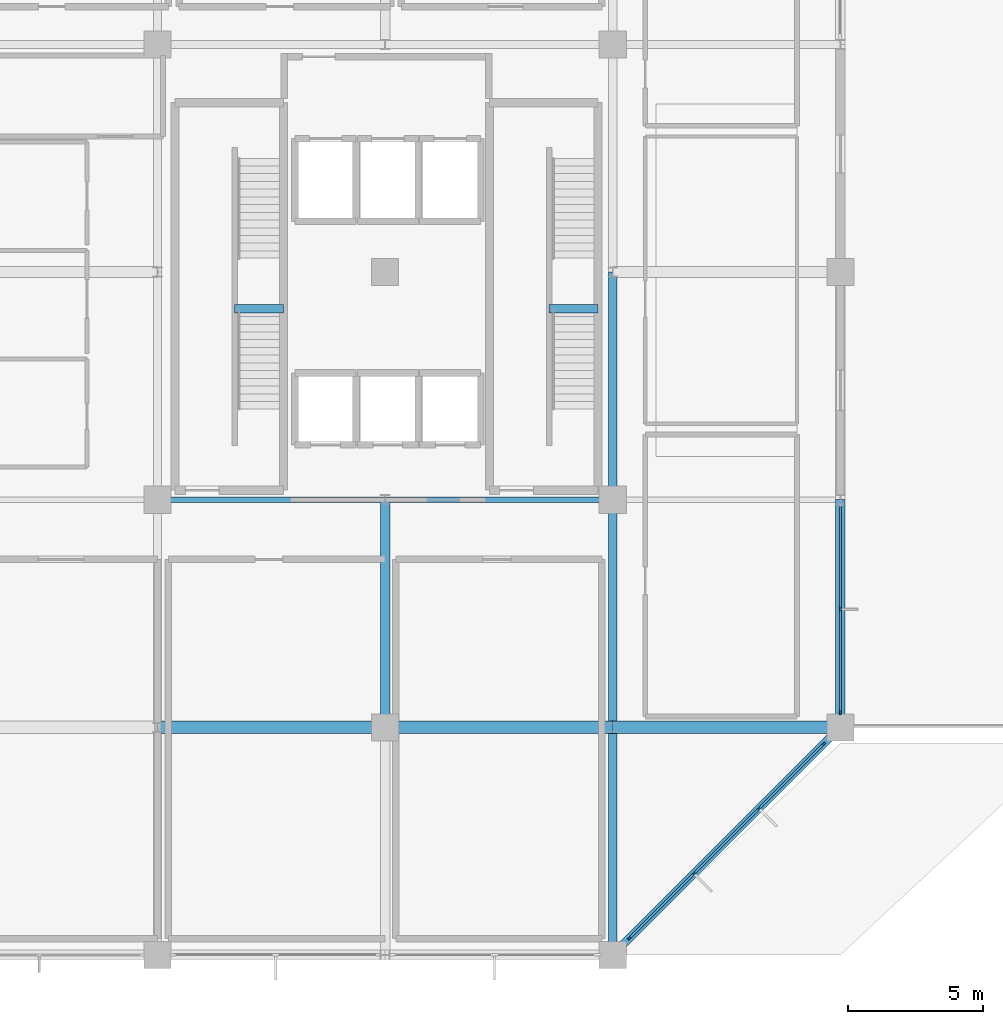
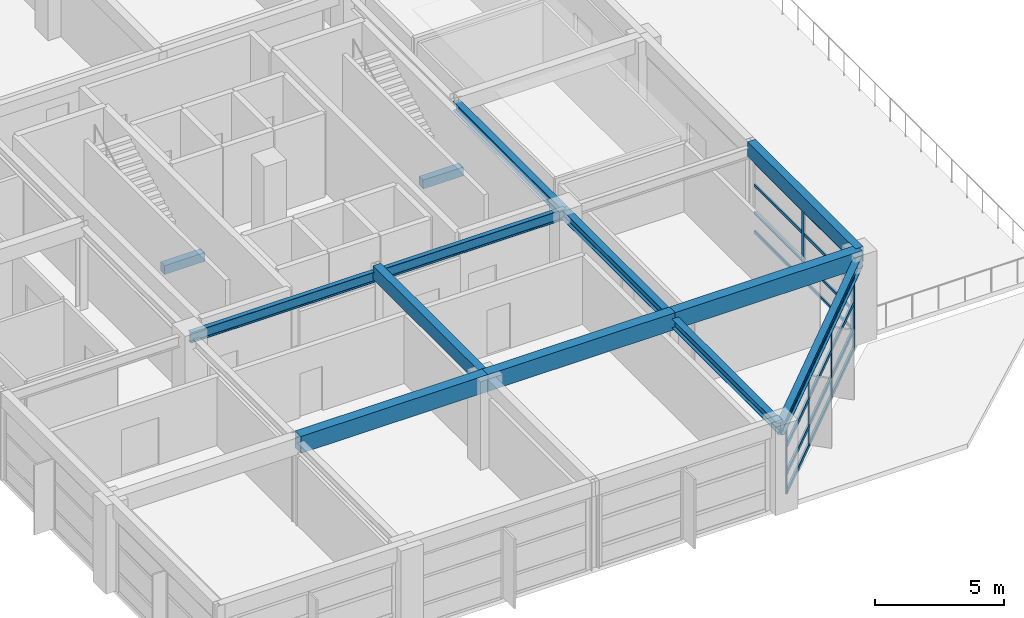
# One storey, part 8 of 21: 26 members, 13 beams, 2 elements without a shape of their own.
"""IFC4 building model written with IfcOpenShell, lengths in metres."""

from ifc_helpers import new_model, si_unit, direction, frame, origin, origin_2d, place, context, subcontext, project, spatial, rectangle, i_section, extrude, material, material_profile, profile_set, type_object, element, aggregate, save


model = new_model("IFC4")

# Units and contexts
model_context = context("Model", 3, precision=1e-05, world=origin(), true_north=direction((0.0, 1.0)))
body_context = subcontext(model_context, "Body", "Model", "MODEL_VIEW")
ifc_project = project(units=[si_unit("LENGTHUNIT", "METRE"), si_unit("AREAUNIT", "SQUARE_METRE"), si_unit("VOLUMEUNIT", "CUBIC_METRE"), si_unit("PLANEANGLEUNIT", "RADIAN"), si_unit("MASSUNIT", "GRAM", prefix="KILO")], contexts=[model_context])

# Site, building, storey
site_placement = place(None, origin())
site = spatial("IfcSite", under=ifc_project, at=site_placement, CompositionType="ELEMENT")
building_placement = place(site_placement, origin())
building = spatial("IfcBuilding", under=site, at=building_placement, Name="Xuanlan Plaza Opera House", CompositionType="ELEMENT")
storey_placement = place(building_placement, frame((0.0, 0.0, 44.699951171875)))
storey = spatial("IfcBuildingStorey", under=building, at=storey_placement, Name="L10", CompositionType="ELEMENT", Elevation=44.699951171875)

# Curtain wall, members
ifc_material_1 = material(Name="Anodised Aluminium 6063-T6 and Low-E Glass", Category="aluminium")
curtain_wall_type_1 = type_object("IfcCurtainWallType", Name="ENV-CW-CW-04", PredefinedType="USERDEFINED", material=ifc_material_1)
curtain_wall_1_placement = place(storey_placement, origin())
curtain_wall_1 = element("IfcCurtainWall", 1, at=curtain_wall_1_placement, inside=storey, type_object=curtain_wall_type_1, Name="Unitised Curtain Wall L10-004", ObjectType="UNITISED CURTAIN WALL", PredefinedType="USERDEFINED")
ifc_material_2 = material(Name="Anodised Aluminium 6063-T6", Category="aluminium")
ifc_material_profile_1 = material_profile(ifc_material_2, rectangle(XDim=0.06494140625, YDim=0.159912109375, at=origin_2d()), Name="ALU-M 65x160")
ifc_profile_set_1 = profile_set([ifc_material_profile_1], Name="Anodised Aluminium 6063-T6")
member_type_1 = type_object("IfcMemberType", Name="ENV-CWM-01", PredefinedType="MULLION", material=ifc_profile_set_1)
member_1_placement = place(storey_placement, frame((151.822021484375, 34.221923828125, 0.0), z_axis=(0.0, 0.0, 1.0), x_axis=(-0.707106781187, 0.707106781187, 0.0)))
member_1 = element("IfcMember", 2, at=member_1_placement, type_object=member_type_1, Name="CW-04 mullion 1", PredefinedType="MULLION", context=body_context, shape_type="SweptSolid", body=[
    extrude(rectangle(XDim=0.06494140625, YDim=0.159912109375, at=origin_2d()), origin(), (0.0, 0.0, 1.0), 3.380126953125),
])
member_2_placement = place(storey_placement, frame((154.19970703125, 36.599609375, 0.0), z_axis=(0.0, 0.0, 1.0), x_axis=(-0.707106781187, 0.707106781187, 0.0)))
member_2 = element("IfcMember", 3, at=member_2_placement, type_object=member_type_1, Name="CW-04 mullion 2", PredefinedType="MULLION", context=body_context, shape_type="SweptSolid", body=[
    extrude(rectangle(XDim=0.06494140625, YDim=0.159912109375, at=origin_2d()), origin(), (0.0, 0.0, 1.0), 3.380126953125),
])
member_3_placement = place(storey_placement, frame((156.600341796875, 39.000244140625, 0.0), z_axis=(0.0, 0.0, 1.0), x_axis=(-0.707106781187, 0.707106781187, 0.0)))
member_3 = element("IfcMember", 4, at=member_3_placement, type_object=member_type_1, Name="CW-04 mullion 3", PredefinedType="MULLION", context=body_context, shape_type="SweptSolid", body=[
    extrude(rectangle(XDim=0.06494140625, YDim=0.159912109375, at=origin_2d()), origin(), (0.0, 0.0, 1.0), 3.380126953125),
])
member_4_placement = place(storey_placement, frame((158.97802734375, 41.3779296875, 0.0), z_axis=(0.0, 0.0, 1.0), x_axis=(-0.707106781187, 0.707106781187, 0.0)))
member_4 = element("IfcMember", 5, at=member_4_placement, type_object=member_type_1, Name="CW-04 mullion 4", PredefinedType="MULLION", context=body_context, shape_type="SweptSolid", body=[
    extrude(rectangle(XDim=0.06494140625, YDim=0.159912109375, at=origin_2d()), origin(), (0.0, 0.0, 1.0), 3.380126953125),
])

curtain_wall_type_2 = type_object("IfcCurtainWallType", Name="ENV-CW-CW-01", PredefinedType="USERDEFINED", material=ifc_material_1)
curtain_wall_2_placement = place(storey_placement, origin())
curtain_wall_2 = element("IfcCurtainWall", 6, at=curtain_wall_2_placement, inside=storey, type_object=curtain_wall_type_2, Name="Unitised Curtain Wall L10-005", ObjectType="UNITISED CURTAIN WALL", PredefinedType="USERDEFINED")
ifc_material_profile_2 = material_profile(ifc_material_2, rectangle(XDim=0.070068359375, YDim=0.179931640625, at=origin_2d()), Name="ALU-M 70x180")
ifc_profile_set_2 = profile_set([ifc_material_profile_2], Name="Anodised Aluminium 6063-T6")
member_type_2 = type_object("IfcMemberType", Name="ENV-CWM-02", PredefinedType="MULLION", material=ifc_profile_set_2)
member_5_placement = place(storey_placement, frame((159.60009765625, 42.554931640625, 0.0), z_axis=(0.0, 0.0, 1.0), x_axis=(-1.0, 0.0, 0.0)))
member_5 = element("IfcMember", 7, at=member_5_placement, type_object=member_type_2, Name="CW-01 mullion 1", PredefinedType="MULLION", context=body_context, shape_type="SweptSolid", body=[
    extrude(rectangle(XDim=0.070068359375, YDim=0.179931640625, at=origin_2d()), origin(), (0.0, 0.0, 1.0), 3.380126953125),
])
member_6_placement = place(storey_placement, frame((159.60009765625, 46.362548828125, 0.0), z_axis=(0.0, 0.0, 1.0), x_axis=(-1.0, 0.0, 0.0)))
member_6 = element("IfcMember", 8, at=member_6_placement, type_object=member_type_2, Name="CW-01 mullion 2", PredefinedType="MULLION", context=body_context, shape_type="SweptSolid", body=[
    extrude(rectangle(XDim=0.070068359375, YDim=0.179931640625, at=origin_2d()), origin(), (0.0, 0.0, 1.0), 3.380126953125),
])
ifc_material_profile_3 = material_profile(ifc_material_2, rectangle(XDim=0.070068359375, YDim=0.135009765625, at=origin_2d()), Name="ALU-T 70x135")
ifc_profile_set_3 = profile_set([ifc_material_profile_3], Name="Anodised Aluminium 6063-T6")
member_type_3 = type_object("IfcMemberType", Name="ENV-CWT-02", PredefinedType="USERDEFINED", material=ifc_profile_set_3)
member_7_placement = place(storey_placement, frame((159.60009765625, 42.590087890625, 0.03515625), z_axis=(0.0, 1.0, 0.0), x_axis=(-1.0, 0.0, 0.0)))
member_7 = element("IfcMember", 9, at=member_7_placement, type_object=member_type_3, Name="CW-01 transom 1.1", ObjectType="TRANSOM", PredefinedType="USERDEFINED", context=body_context, shape_type="SweptSolid", body=[
    extrude(rectangle(XDim=0.070068359375, YDim=0.135009765625, at=origin_2d()), origin(), (0.0, 0.0, 1.0), 3.7373046875),
])
member_8_placement = place(storey_placement, frame((159.60009765625, 42.590087890625, 0.949951171875), z_axis=(0.0, 1.0, 0.0), x_axis=(-1.0, 0.0, 0.0)))
member_8 = element("IfcMember", 10, at=member_8_placement, type_object=member_type_3, Name="CW-01 transom 1.2", ObjectType="TRANSOM", PredefinedType="USERDEFINED", context=body_context, shape_type="SweptSolid", body=[
    extrude(rectangle(XDim=0.070068359375, YDim=0.135009765625, at=origin_2d()), origin(), (0.0, 0.0, 1.0), 3.7373046875),
])
member_9_placement = place(storey_placement, frame((159.60009765625, 42.590087890625, 2.25), z_axis=(0.0, 1.0, 0.0), x_axis=(-1.0, 0.0, 0.0)))
member_9 = element("IfcMember", 11, at=member_9_placement, type_object=member_type_3, Name="CW-01 transom 1.3", ObjectType="TRANSOM", PredefinedType="USERDEFINED", context=body_context, shape_type="SweptSolid", body=[
    extrude(rectangle(XDim=0.070068359375, YDim=0.135009765625, at=origin_2d()), origin(), (0.0, 0.0, 1.0), 3.7373046875),
])
member_10_placement = place(storey_placement, frame((159.60009765625, 42.590087890625, 3.344970703125), z_axis=(0.0, 1.0, 0.0), x_axis=(-1.0, 0.0, 0.0)))
member_10 = element("IfcMember", 12, at=member_10_placement, type_object=member_type_3, Name="CW-01 transom 1.4", ObjectType="TRANSOM", PredefinedType="USERDEFINED", context=body_context, shape_type="SweptSolid", body=[
    extrude(rectangle(XDim=0.070068359375, YDim=0.135009765625, at=origin_2d()), origin(), (0.0, 0.0, 1.0), 3.7373046875),
])
member_11_placement = place(storey_placement, frame((159.60009765625, 46.3974609375, 0.03515625), z_axis=(0.0, 1.0, 0.0), x_axis=(-1.0, 0.0, 0.0)))
member_11 = element("IfcMember", 13, at=member_11_placement, type_object=member_type_3, Name="CW-01 transom 2.1", ObjectType="TRANSOM", PredefinedType="USERDEFINED", context=body_context, shape_type="SweptSolid", body=[
    extrude(rectangle(XDim=0.070068359375, YDim=0.135009765625, at=origin_2d()), origin(), (0.0, 0.0, 1.0), 3.737548828125),
])
member_12_placement = place(storey_placement, frame((159.60009765625, 46.3974609375, 0.949951171875), z_axis=(0.0, 1.0, 0.0), x_axis=(-1.0, 0.0, 0.0)))
member_12 = element("IfcMember", 14, at=member_12_placement, type_object=member_type_3, Name="CW-01 transom 2.2", ObjectType="TRANSOM", PredefinedType="USERDEFINED", context=body_context, shape_type="SweptSolid", body=[
    extrude(rectangle(XDim=0.070068359375, YDim=0.135009765625, at=origin_2d()), origin(), (0.0, 0.0, 1.0), 3.737548828125),
])
member_13_placement = place(storey_placement, frame((159.60009765625, 46.3974609375, 2.25), z_axis=(0.0, 1.0, 0.0), x_axis=(-1.0, 0.0, 0.0)))
member_13 = element("IfcMember", 15, at=member_13_placement, type_object=member_type_3, Name="CW-01 transom 2.3", ObjectType="TRANSOM", PredefinedType="USERDEFINED", context=body_context, shape_type="SweptSolid", body=[
    extrude(rectangle(XDim=0.070068359375, YDim=0.135009765625, at=origin_2d()), origin(), (0.0, 0.0, 1.0), 3.737548828125),
])
member_14_placement = place(storey_placement, frame((159.60009765625, 46.3974609375, 3.344970703125), z_axis=(0.0, 1.0, 0.0), x_axis=(-1.0, 0.0, 0.0)))
member_14 = element("IfcMember", 16, at=member_14_placement, type_object=member_type_3, Name="CW-01 transom 2.4", ObjectType="TRANSOM", PredefinedType="USERDEFINED", context=body_context, shape_type="SweptSolid", body=[
    extrude(rectangle(XDim=0.070068359375, YDim=0.135009765625, at=origin_2d()), origin(), (0.0, 0.0, 1.0), 3.737548828125),
])
aggregate(curtain_wall_2, [member_5, member_6, member_7, member_8, member_9, member_10, member_11, member_12, member_13, member_14])

# Member
ifc_material_profile_4 = material_profile(ifc_material_2, rectangle(XDim=0.090087890625, YDim=0.179931640625, at=origin_2d()), Name="ALU-T 90x180")
ifc_profile_set_4 = profile_set([ifc_material_profile_4], Name="Anodised Aluminium 6063-T6")
member_type_4 = type_object("IfcMemberType", Name="ENV-CWT-05", PredefinedType="USERDEFINED", material=ifc_profile_set_4)
member_15_placement = place(storey_placement, frame((151.844970703125, 34.244873046875, 0.045166015625), z_axis=(0.707106781187, 0.707106781187, 0.0), x_axis=(-0.707106781187, 0.707106781187, 0.0)))
member_15 = element("IfcMember", 17, at=member_15_placement, type_object=member_type_4, Name="CW-04 transom 1.1", ObjectType="TRANSOM", PredefinedType="USERDEFINED", context=body_context, shape_type="SweptSolid", body=[
    extrude(rectangle(XDim=0.090087890625, YDim=0.179931640625, at=origin_2d()), origin(), (0.0, 0.0, 1.0), 3.297607421875),
])

member_16_placement = place(storey_placement, frame((151.844970703125, 34.244873046875, 0.949951171875), z_axis=(0.707106781187, 0.707106781187, 0.0), x_axis=(-0.707106781187, 0.707106781187, 0.0)))
member_16 = element("IfcMember", 18, at=member_16_placement, type_object=member_type_4, Name="CW-04 transom 1.2", ObjectType="TRANSOM", PredefinedType="USERDEFINED", context=body_context, shape_type="SweptSolid", body=[
    extrude(rectangle(XDim=0.090087890625, YDim=0.179931640625, at=origin_2d()), origin(), (0.0, 0.0, 1.0), 3.297607421875),
])

member_17_placement = place(storey_placement, frame((151.844970703125, 34.244873046875, 2.25), z_axis=(0.707106781187, 0.707106781187, 0.0), x_axis=(-0.707106781187, 0.707106781187, 0.0)))
member_17 = element("IfcMember", 19, at=member_17_placement, type_object=member_type_4, Name="CW-04 transom 1.3", ObjectType="TRANSOM", PredefinedType="USERDEFINED", context=body_context, shape_type="SweptSolid", body=[
    extrude(rectangle(XDim=0.090087890625, YDim=0.179931640625, at=origin_2d()), origin(), (0.0, 0.0, 1.0), 3.297607421875),
])

member_18_placement = place(storey_placement, frame((151.844970703125, 34.244873046875, 3.3349609375), z_axis=(0.707106781187, 0.707106781187, 0.0), x_axis=(-0.707106781187, 0.707106781187, 0.0)))
member_18 = element("IfcMember", 20, at=member_18_placement, type_object=member_type_4, Name="CW-04 transom 1.4", ObjectType="TRANSOM", PredefinedType="USERDEFINED", context=body_context, shape_type="SweptSolid", body=[
    extrude(rectangle(XDim=0.090087890625, YDim=0.179931640625, at=origin_2d()), origin(), (0.0, 0.0, 1.0), 3.297607421875),
])

member_19_placement = place(storey_placement, frame((154.22265625, 36.62255859375, 0.045166015625), z_axis=(0.707106781187, 0.707106781187, 0.0), x_axis=(-0.707106781187, 0.707106781187, 0.0)))
member_19 = element("IfcMember", 21, at=member_19_placement, type_object=member_type_4, Name="CW-04 transom 2.1", ObjectType="TRANSOM", PredefinedType="USERDEFINED", context=body_context, shape_type="SweptSolid", body=[
    extrude(rectangle(XDim=0.090087890625, YDim=0.179931640625, at=origin_2d()), origin(), (0.0, 0.0, 1.0), 3.330078125),
])

member_20_placement = place(storey_placement, frame((154.22265625, 36.62255859375, 0.949951171875), z_axis=(0.707106781187, 0.707106781187, 0.0), x_axis=(-0.707106781187, 0.707106781187, 0.0)))
member_20 = element("IfcMember", 22, at=member_20_placement, type_object=member_type_4, Name="CW-04 transom 2.2", ObjectType="TRANSOM", PredefinedType="USERDEFINED", context=body_context, shape_type="SweptSolid", body=[
    extrude(rectangle(XDim=0.090087890625, YDim=0.179931640625, at=origin_2d()), origin(), (0.0, 0.0, 1.0), 3.330078125),
])

member_21_placement = place(storey_placement, frame((154.22265625, 36.62255859375, 2.25), z_axis=(0.707106781187, 0.707106781187, 0.0), x_axis=(-0.707106781187, 0.707106781187, 0.0)))
member_21 = element("IfcMember", 23, at=member_21_placement, type_object=member_type_4, Name="CW-04 transom 2.3", ObjectType="TRANSOM", PredefinedType="USERDEFINED", context=body_context, shape_type="SweptSolid", body=[
    extrude(rectangle(XDim=0.090087890625, YDim=0.179931640625, at=origin_2d()), origin(), (0.0, 0.0, 1.0), 3.330078125),
])

member_22_placement = place(storey_placement, frame((154.22265625, 36.62255859375, 3.3349609375), z_axis=(0.707106781187, 0.707106781187, 0.0), x_axis=(-0.707106781187, 0.707106781187, 0.0)))
member_22 = element("IfcMember", 24, at=member_22_placement, type_object=member_type_4, Name="CW-04 transom 2.4", ObjectType="TRANSOM", PredefinedType="USERDEFINED", context=body_context, shape_type="SweptSolid", body=[
    extrude(rectangle(XDim=0.090087890625, YDim=0.179931640625, at=origin_2d()), origin(), (0.0, 0.0, 1.0), 3.330078125),
])

member_23_placement = place(storey_placement, frame((156.623291015625, 39.023193359375, 0.045166015625), z_axis=(0.707106781187, 0.707106781187, 0.0), x_axis=(-0.707106781187, 0.707106781187, 0.0)))
member_23 = element("IfcMember", 25, at=member_23_placement, type_object=member_type_4, Name="CW-04 transom 3.1", ObjectType="TRANSOM", PredefinedType="USERDEFINED", context=body_context, shape_type="SweptSolid", body=[
    extrude(rectangle(XDim=0.090087890625, YDim=0.179931640625, at=origin_2d()), origin(), (0.0, 0.0, 1.0), 3.297607421875),
])

member_24_placement = place(storey_placement, frame((156.623291015625, 39.023193359375, 0.949951171875), z_axis=(0.707106781187, 0.707106781187, 0.0), x_axis=(-0.707106781187, 0.707106781187, 0.0)))
member_24 = element("IfcMember", 26, at=member_24_placement, type_object=member_type_4, Name="CW-04 transom 3.2", ObjectType="TRANSOM", PredefinedType="USERDEFINED", context=body_context, shape_type="SweptSolid", body=[
    extrude(rectangle(XDim=0.090087890625, YDim=0.179931640625, at=origin_2d()), origin(), (0.0, 0.0, 1.0), 3.297607421875),
])

member_25_placement = place(storey_placement, frame((156.623291015625, 39.023193359375, 2.25), z_axis=(0.707106781187, 0.707106781187, 0.0), x_axis=(-0.707106781187, 0.707106781187, 0.0)))
member_25 = element("IfcMember", 27, at=member_25_placement, type_object=member_type_4, Name="CW-04 transom 3.3", ObjectType="TRANSOM", PredefinedType="USERDEFINED", context=body_context, shape_type="SweptSolid", body=[
    extrude(rectangle(XDim=0.090087890625, YDim=0.179931640625, at=origin_2d()), origin(), (0.0, 0.0, 1.0), 3.297607421875),
])

member_26_placement = place(storey_placement, frame((156.623291015625, 39.023193359375, 3.3349609375), z_axis=(0.707106781187, 0.707106781187, 0.0), x_axis=(-0.707106781187, 0.707106781187, 0.0)))
member_26 = element("IfcMember", 28, at=member_26_placement, type_object=member_type_4, Name="CW-04 transom 3.4", ObjectType="TRANSOM", PredefinedType="USERDEFINED", context=body_context, shape_type="SweptSolid", body=[
    extrude(rectangle(XDim=0.090087890625, YDim=0.179931640625, at=origin_2d()), origin(), (0.0, 0.0, 1.0), 3.297607421875),
])

aggregate(curtain_wall_1, [member_1, member_2, member_3, member_4, member_15, member_16, member_17, member_18, member_19, member_20, member_21, member_22, member_23, member_24, member_25, member_26])

# Beams
ifc_material_3 = material(Name="Concrete C40", Category="concrete")
ifc_material_profile_5 = material_profile(ifc_material_3, rectangle(XDim=0.449951171875, YDim=0.800048828125, at=origin_2d()), Name="RC-BM 450x800")
ifc_profile_set_5 = profile_set([ifc_material_profile_5], Name="Concrete C40")
beam_type_1 = type_object("IfcBeamType", Name="STR-BM-B-05", PredefinedType="BEAM", material=ifc_profile_set_5)
beam_1_placement = place(storey_placement, frame((134.39990234375, 42.0, 3.800048828125), z_axis=(1.0, 0.0, 0.0), x_axis=(0.0, 1.0, 0.0)))
element("IfcBeam", 29, at=beam_1_placement, inside=storey, type_object=beam_type_1, Name="Grid Beam X L10 17-18/F", PredefinedType="BEAM", context=body_context, shape_type="SweptSolid", body=[
    extrude(rectangle(XDim=0.449951171875, YDim=0.800048828125, at=origin_2d()), origin(), (0.0, 0.0, 1.0), 8.400146484375),
])
beam_2_placement = place(storey_placement, frame((142.800048828125, 42.0, 3.800048828125), z_axis=(1.0, 0.0, 0.0), x_axis=(0.0, 1.0, 0.0)))
element("IfcBeam", 30, at=beam_2_placement, inside=storey, type_object=beam_type_1, Name="Grid Beam X L10 18-19/F", PredefinedType="BEAM", context=body_context, shape_type="SweptSolid", body=[
    extrude(rectangle(XDim=0.449951171875, YDim=0.800048828125, at=origin_2d()), origin(), (0.0, 0.0, 1.0), 8.39990234375),
])
beam_3_placement = place(storey_placement, frame((151.199951171875, 42.0, 3.800048828125), z_axis=(1.0, 0.0, 0.0), x_axis=(0.0, 1.0, 0.0)))
element("IfcBeam", 31, at=beam_3_placement, inside=storey, type_object=beam_type_1, Name="Grid Beam X L10 19-20/F", PredefinedType="BEAM", context=body_context, shape_type="SweptSolid", body=[
    extrude(rectangle(XDim=0.449951171875, YDim=0.800048828125, at=origin_2d()), origin(), (0.0, 0.0, 1.0), 8.400146484375),
])
ifc_material_profile_6 = material_profile(ifc_material_3, rectangle(XDim=0.35009765625, YDim=0.64990234375, at=origin_2d()), Name="RC-BM 350x650")
ifc_profile_set_6 = profile_set([ifc_material_profile_6], Name="Concrete C40")
beam_type_2 = type_object("IfcBeamType", Name="STR-BM-B-08", PredefinedType="BEAM", material=ifc_profile_set_6)
beam_4_placement = place(storey_placement, frame((142.800048828125, 42.0, 3.875), z_axis=(0.0, 1.0, 0.0), x_axis=(-1.0, 0.0, 0.0)))
element("IfcBeam", 32, at=beam_4_placement, inside=storey, type_object=beam_type_2, Name="Grid Beam Y L10 18/F-G", PredefinedType="BEAM", context=body_context, shape_type="SweptSolid", body=[
    extrude(rectangle(XDim=0.35009765625, YDim=0.64990234375, at=origin_2d()), origin(), (0.0, 0.0, 1.0), 8.39990234375),
])
ifc_material_profile_7 = material_profile(ifc_material_3, rectangle(XDim=0.320068359375, YDim=0.419921875, at=origin_2d()), Name="RC-LNT 320x420")
ifc_profile_set_7 = profile_set([ifc_material_profile_7], Name="Concrete C40")
beam_type_3 = type_object("IfcBeamType", Name="STR-BM-LN-04", PredefinedType="LINTEL", material=ifc_profile_set_7)
beam_5_placement = place(storey_placement, frame((137.25, 57.445068359375, 1.68994140625), z_axis=(1.0, 0.0, 0.0), x_axis=(0.0, 1.0, 0.0)))
element("IfcBeam", 33, at=beam_5_placement, inside=storey, type_object=beam_type_3, Name="Stair Mid-Landing Trimmer Beam ST-T1 L10", PredefinedType="LINTEL", context=body_context, shape_type="SweptSolid", body=[
    extrude(rectangle(XDim=0.320068359375, YDim=0.419921875, at=origin_2d()), origin(), (0.0, 0.0, 1.0), 1.800048828125),
])
beam_6_placement = place(storey_placement, frame((148.85009765625, 57.445068359375, 1.68994140625), z_axis=(1.0, 0.0, 0.0), x_axis=(0.0, 1.0, 0.0)))
element("IfcBeam", 34, at=beam_6_placement, inside=storey, type_object=beam_type_3, Name="Stair Mid-Landing Trimmer Beam ST-T2 L10", PredefinedType="LINTEL", context=body_context, shape_type="SweptSolid", body=[
    extrude(rectangle(XDim=0.320068359375, YDim=0.419921875, at=origin_2d()), origin(), (0.0, 0.0, 1.0), 1.7998046875),
])
ifc_material_4 = material(Name="Steel Q355B", Category="steel")
ifc_material_profile_8 = material_profile(ifc_material_4, i_section(OverallWidth=0.199951171875, OverallDepth=0.5, WebThickness=0.010009765625, FlangeThickness=0.01611328125, FilletRadius=0.02001953125, at=origin_2d()), Name="HN 500x200x10x16")
ifc_profile_set_8 = profile_set([ifc_material_profile_8], Name="Steel Q355B")
beam_type_4 = type_object("IfcBeamType", Name="STR-BM-SB-05", PredefinedType="BEAM", material=ifc_profile_set_8)
beam_7_placement = place(storey_placement, frame((134.39990234375, 50.39990234375, 3.705078125), z_axis=(1.0, 0.0, 0.0), x_axis=(0.0, 1.0, 0.0)))
element("IfcBeam", 35, at=beam_7_placement, inside=storey, type_object=beam_type_4, Name="Grid Beam X L10 17-18/G", PredefinedType="BEAM", context=body_context, shape_type="SweptSolid", body=[
    extrude(i_section(OverallWidth=0.199951171875, OverallDepth=0.5, WebThickness=0.010009765625, FlangeThickness=0.01611328125, FilletRadius=0.02001953125, at=origin_2d()), origin(), (0.0, 0.0, 1.0), 8.400146484375),
])
beam_8_placement = place(storey_placement, frame((142.800048828125, 50.39990234375, 3.705078125), z_axis=(1.0, 0.0, 0.0), x_axis=(0.0, 1.0, 0.0)))
element("IfcBeam", 36, at=beam_8_placement, inside=storey, type_object=beam_type_4, Name="Grid Beam X L10 18-19/G", PredefinedType="BEAM", context=body_context, shape_type="SweptSolid", body=[
    extrude(i_section(OverallWidth=0.199951171875, OverallDepth=0.5, WebThickness=0.010009765625, FlangeThickness=0.01611328125, FilletRadius=0.02001953125, at=origin_2d()), origin(), (0.0, 0.0, 1.0), 8.39990234375),
])
ifc_material_profile_9 = material_profile(ifc_material_4, i_section(OverallWidth=0.300048828125, OverallDepth=0.43994140625, WebThickness=0.010986328125, FlangeThickness=0.01806640625, FilletRadius=0.02001953125, at=origin_2d()), Name="HM 440x300x11x18")
ifc_profile_set_9 = profile_set([ifc_material_profile_9], Name="Steel Q355B")
beam_type_5 = type_object("IfcBeamType", Name="STR-BM-SB-08", PredefinedType="BEAM", material=ifc_profile_set_9)
for number, where, z_axis, x_axis, name in (
    (37, (151.199951171875, 33.60009765625, 3.735107421875), (0.0, 1.0, 0.0), (-1.0, 0.0, 0.0), "Grid Beam Y L10 19/E-F"),
    (38, (151.199951171875, 42.0, 3.735107421875), (0.0, 1.0, 0.0), (-1.0, 0.0, 0.0), "Grid Beam Y L10 19/F-G"),
):
    element("IfcBeam", number, at=place(storey_placement, frame(where, z_axis=z_axis, x_axis=x_axis)), inside=storey, type_object=beam_type_5, Name=name, PredefinedType="BEAM", context=body_context, shape_type="SweptSolid", body=[
        extrude(i_section(OverallWidth=0.300048828125, OverallDepth=0.43994140625, WebThickness=0.010986328125, FlangeThickness=0.01806640625, FilletRadius=0.02001953125, at=origin_2d()), origin(), (0.0, 0.0, 1.0), 8.39990234375),
    ])
beam_9_placement = place(storey_placement, frame((151.199951171875, 50.39990234375, 3.735107421875), z_axis=(0.0, 1.0, 0.0), x_axis=(-1.0, 0.0, 0.0)))
element("IfcBeam", 39, at=beam_9_placement, inside=storey, type_object=beam_type_5, Name="Grid Beam Y L10 19/G-H", PredefinedType="BEAM", context=body_context, shape_type="SweptSolid", body=[
    extrude(i_section(OverallWidth=0.300048828125, OverallDepth=0.43994140625, WebThickness=0.010986328125, FlangeThickness=0.01806640625, FilletRadius=0.02001953125, at=origin_2d()), origin(), (0.0, 0.0, 1.0), 8.400146484375),
])
ifc_material_profile_10 = material_profile(ifc_material_3, rectangle(XDim=0.35009765625, YDim=0.699951171875, at=origin_2d()), Name="RC-SPD 350x700")
ifc_profile_set_10 = profile_set([ifc_material_profile_10], Name="Concrete C40")
beam_type_6 = type_object("IfcBeamType", Name="STR-BM-SP-02", PredefinedType="SPANDREL", material=ifc_profile_set_10)
beam_10_placement = place(storey_placement, frame((159.60009765625, 42.0, 3.85009765625), z_axis=(0.0, 1.0, 0.0), x_axis=(-1.0, 0.0, 0.0)))
element("IfcBeam", 40, at=beam_10_placement, inside=storey, type_object=beam_type_6, Name="Grid Beam Y L10 20/F-G", PredefinedType="SPANDREL", context=body_context, shape_type="SweptSolid", body=[
    extrude(rectangle(XDim=0.35009765625, YDim=0.699951171875, at=origin_2d()), origin(), (0.0, 0.0, 1.0), 8.39990234375),
])
ifc_material_profile_11 = material_profile(ifc_material_4, i_section(OverallWidth=0.300048828125, OverallDepth=0.587890625, WebThickness=0.011962890625, FlangeThickness=0.02001953125, FilletRadius=0.02392578125, at=origin_2d()), Name="HM 588x300x12x20")
ifc_profile_set_11 = profile_set([ifc_material_profile_11], Name="Steel Q355B")
beam_type_7 = type_object("IfcBeamType", Name="STR-BM-SP-03", PredefinedType="SPANDREL", material=ifc_profile_set_11)
beam_11_placement = place(storey_placement, frame((151.199951171875, 33.60009765625, 3.6611328125), z_axis=(0.707117056885, 0.707096505339, 0.0), x_axis=(-0.707096505339, 0.707117056885, 0.0)))
element("IfcBeam", 41, at=beam_11_placement, inside=storey, type_object=beam_type_7, Name="Faceted Edge Spandrel L10 CH01", PredefinedType="SPANDREL", context=body_context, shape_type="SweptSolid", body=[
    extrude(i_section(OverallWidth=0.300048828125, OverallDepth=0.587890625, WebThickness=0.011962890625, FlangeThickness=0.02001953125, FilletRadius=0.02392578125, at=origin_2d()), origin(), (0.0, 0.0, 1.0), 11.87939453125),
])

save(model, "model.ifc")
